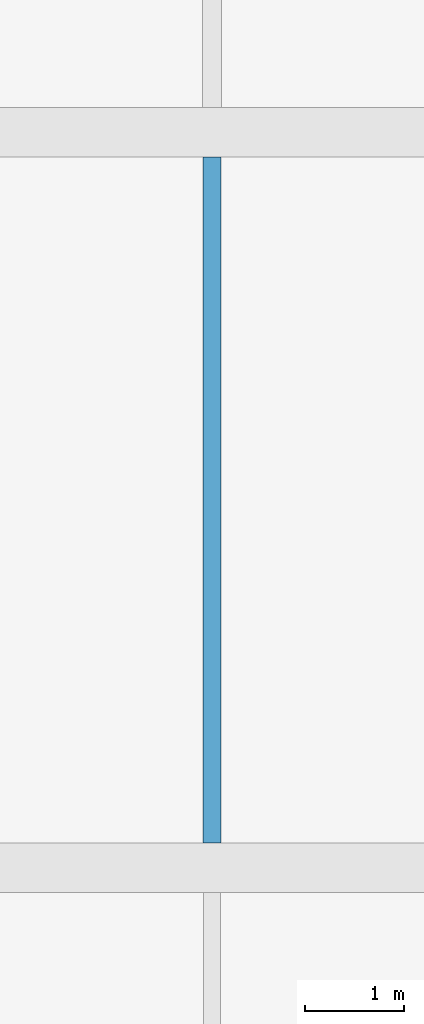
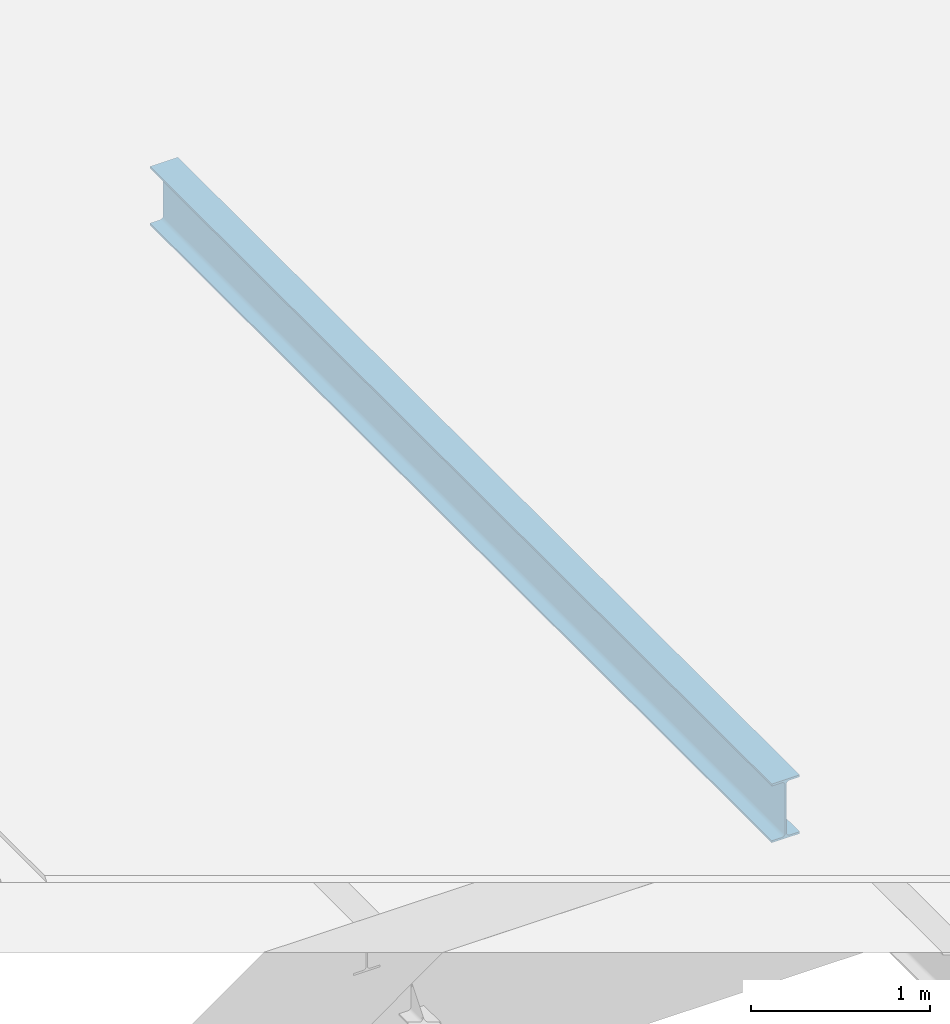
# One storey, part 126 of 372: 1 beam.
"""IFC4 building model written with IfcOpenShell, lengths in metres."""

from ifc_helpers import new_model, si_unit, direction, frame, origin, origin_2d, place, context, subcontext, project, spatial, i_section, extrude, material, material_profile, profile_set, type_object, element, save


model = new_model("IFC4")

# Units and contexts
model_context = context("Model", 3, precision=1e-05, world=origin(), true_north=direction((0.0, 1.0)))
body_context = subcontext(model_context, "Body", "Model", "MODEL_VIEW")
ifc_project = project(units=[si_unit("LENGTHUNIT", "METRE"), si_unit("AREAUNIT", "SQUARE_METRE"), si_unit("VOLUMEUNIT", "CUBIC_METRE"), si_unit("PLANEANGLEUNIT", "RADIAN"), si_unit("MASSUNIT", "GRAM", prefix="KILO")], contexts=[model_context])

# Site, building, storey
site_placement = place(None, origin())
site = spatial("IfcSite", under=ifc_project, at=site_placement, CompositionType="ELEMENT")
building_placement = place(site_placement, origin())
building = spatial("IfcBuilding", under=site, at=building_placement, Name="Kaelora Sail Theatre", CompositionType="ELEMENT")
storey_placement = place(building_placement, origin())
storey = spatial("IfcBuildingStorey", under=building, at=storey_placement, Name="L00", CompositionType="ELEMENT", Elevation=0.0)

# Beam
ifc_material = material(Name="Steel S355", Category="steel")
ifc_material_profile = material_profile(ifc_material, i_section(OverallWidth=0.179931640625, OverallDepth=0.39990234375, WebThickness=0.008544921875, FlangeThickness=0.013427734375, FilletRadius=0.02099609375, at=origin_2d()), Name="IPE 400")
ifc_profile_set = profile_set([ifc_material_profile], Name="Steel S355")
beam_type = type_object("IfcBeamType", Name="STR-BM-JS-IPE400", PredefinedType="JOIST", material=ifc_profile_set)
beam_placement = place(storey_placement, frame((63.60009765625, 46.389892578125, -0.52001953125), z_axis=(0.0, 1.0, 0.0), x_axis=(-1.0, 0.0, 0.0)))
element("IfcBeam", 1, at=beam_placement, inside=storey, type_object=beam_type, Name="Secondary floor joist 8/G-2 (L00)", PredefinedType="JOIST", context=body_context, shape_type="SweptSolid", body=[
    extrude(i_section(OverallWidth=0.179931640625, OverallDepth=0.39990234375, WebThickness=0.008544921875, FlangeThickness=0.013427734375, FilletRadius=0.02099609375, at=origin_2d()), origin(), (0.0, 0.0, 1.0), 6.940185546875),
])

save(model, "model.ifc")
